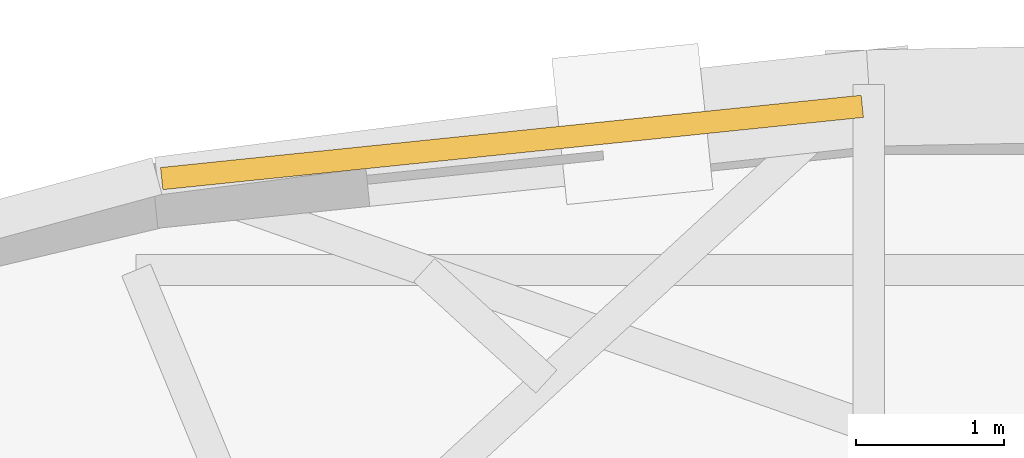
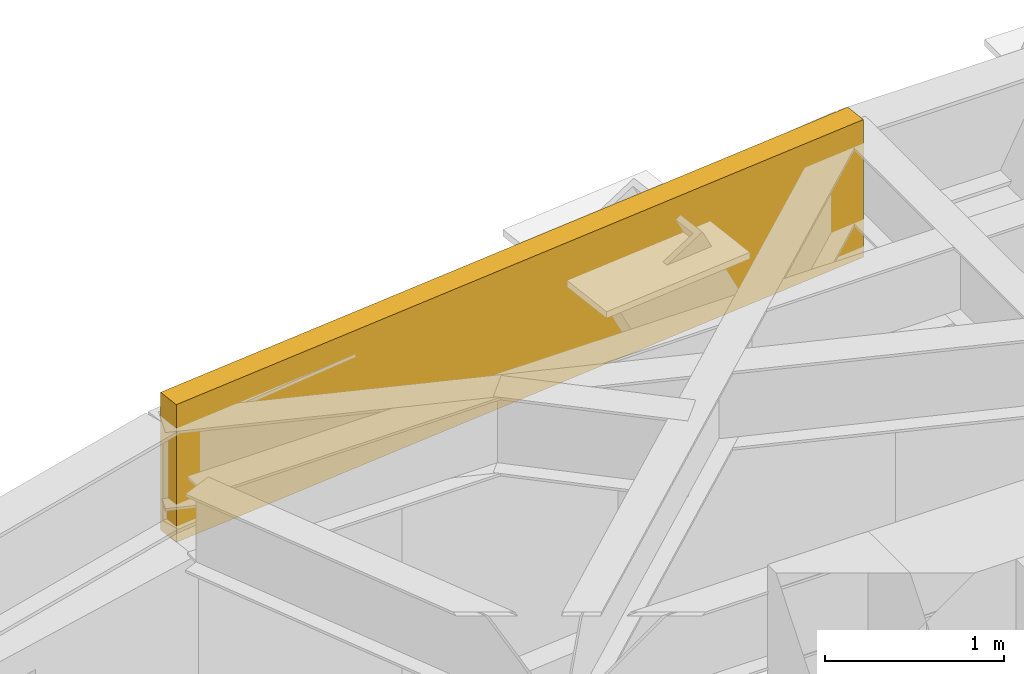
# One storey, part 15 of 15: 1 covering.
"""IFC4 building model written with IfcOpenShell, lengths in metres."""

from ifc_helpers import new_model, si_unit, direction, frame, origin, origin_2d, place, context, subcontext, project, spatial, rectangle, extrude, material, layer, layer_set, type_object, element, save


model = new_model("IFC4")

# Units and contexts
model_context = context("Model", 3, precision=1e-05, world=origin(), true_north=direction((0.0, 1.0)))
body_context = subcontext(model_context, "Body", "Model", "MODEL_VIEW")
ifc_project = project(units=[si_unit("LENGTHUNIT", "METRE"), si_unit("AREAUNIT", "SQUARE_METRE"), si_unit("VOLUMEUNIT", "CUBIC_METRE"), si_unit("PLANEANGLEUNIT", "RADIAN"), si_unit("MASSUNIT", "GRAM", prefix="KILO")], contexts=[model_context])

# Site, building, storey
site_placement = place(None, origin())
site = spatial("IfcSite", under=ifc_project, at=site_placement, CompositionType="ELEMENT")
building_placement = place(site_placement, origin())
building = spatial("IfcBuilding", under=site, at=building_placement, Name="Keldmark Tower", CompositionType="ELEMENT")
storey_placement = place(building_placement, frame((0.0, 0.0, 156.60009765625)))
storey = spatial("IfcBuildingStorey", under=building, at=storey_placement, Name="L42", CompositionType="ELEMENT", Elevation=156.60009765625)

# Covering
ifc_material = material(Name="Honed Kasota Buff Dolomitic Limestone", Category="masonry")
ifc_layer = layer(ifc_material, 0.074951171875)
ifc_layer_set = layer_set([ifc_layer], Name="Honed Kasota Buff Dolomitic Limestone")
covering_type = type_object("IfcCoveringType", Name="Kasota Buff Limestone Spandrel Cladding Band", PredefinedType="CLADDING", material=ifc_layer_set)
covering_placement = place(storey_placement, frame((-4.843994140625, 16.398193359375, 2.239013671875), z_axis=(0.0, 0.0, 1.0), x_axis=(-0.994720742649, -0.10261892683, 0.0)))
element("IfcCovering", 1, at=covering_placement, inside=storey, type_object=covering_type, Name="L42 Kasota Limestone Spandrel Band 09", PredefinedType="CLADDING", context=body_context, shape_type="SweptSolid", body=[
    extrude(rectangle(XDim=4.74658203125, YDim=0.14990234375, at=origin_2d()), origin(), (0.0, 0.0, 1.0), 0.94091796875),
])

save(model, "model.ifc")
